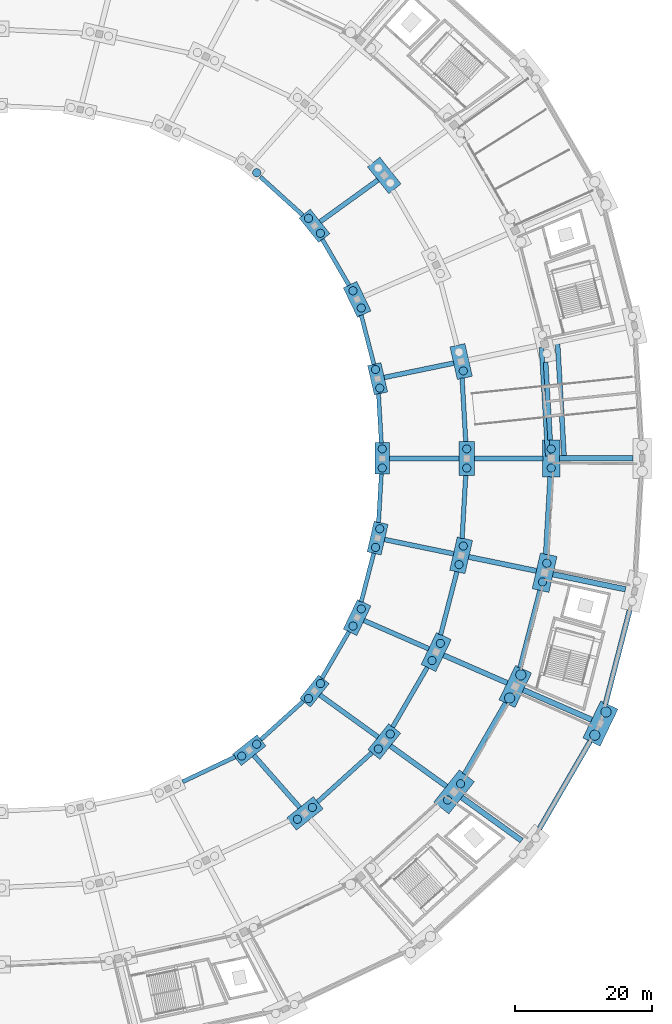
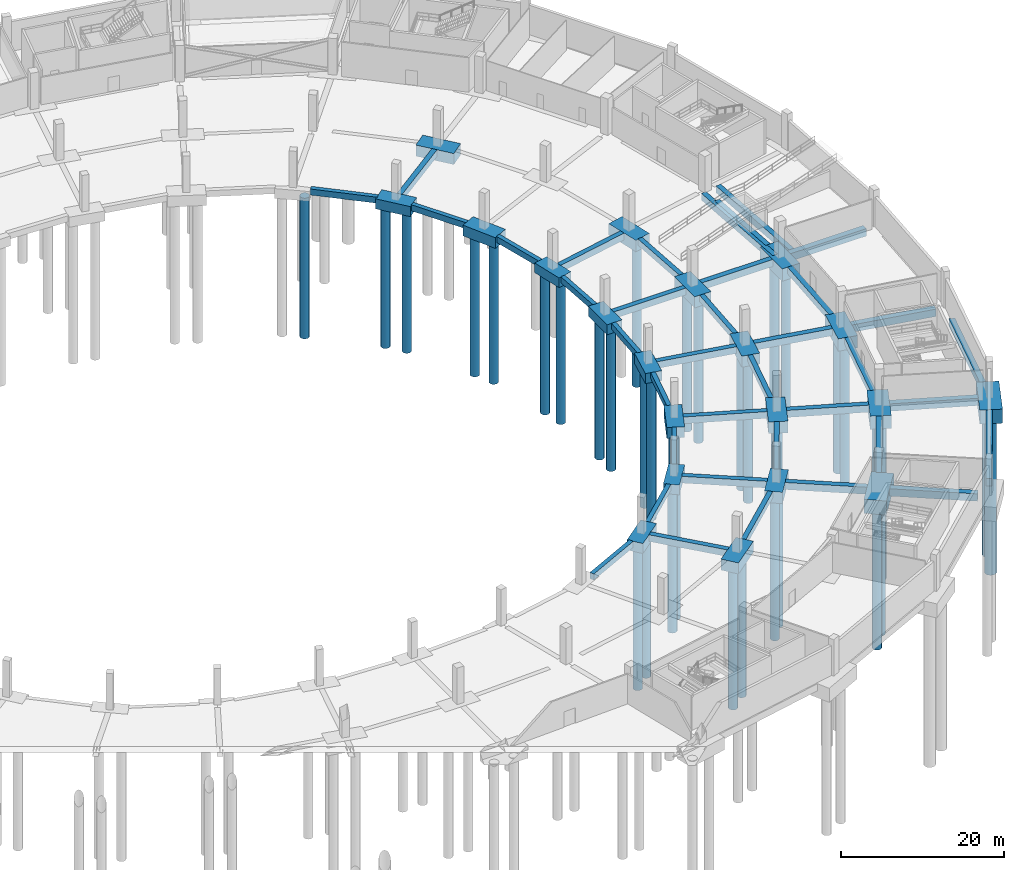
# One storey, part 4 of 49: 57 footings, 38 piles.
"""IFC4 building model written with IfcOpenShell, lengths in metres."""

from ifc_helpers import new_model, si_unit, direction, frame, origin, origin_2d, place, context, subcontext, project, spatial, rectangle, circle, extrude, material, material_profile, profile_set, type_object, element, save


model = new_model("IFC4")

# Units and contexts
model_context = context("Model", 3, precision=1e-05, world=origin(), true_north=direction((0.0, 1.0)))
body_context = subcontext(model_context, "Body", "Model", "MODEL_VIEW")
ifc_project = project(units=[si_unit("LENGTHUNIT", "METRE"), si_unit("AREAUNIT", "SQUARE_METRE"), si_unit("VOLUMEUNIT", "CUBIC_METRE"), si_unit("PLANEANGLEUNIT", "RADIAN"), si_unit("MASSUNIT", "GRAM", prefix="KILO")], contexts=[model_context])

# Site, building, storey
site_placement = place(None, origin())
site = spatial("IfcSite", under=ifc_project, at=site_placement, CompositionType="ELEMENT")
building_placement = place(site_placement, origin())
building = spatial("IfcBuilding", under=site, at=building_placement, Name="Kazemori Nagisa Stadium", CompositionType="ELEMENT")
storey_placement = place(building_placement, frame((0.0, 0.0, -5.43994140625)))
storey = spatial("IfcBuildingStorey", under=building, at=storey_placement, Name="B1", CompositionType="ELEMENT", Elevation=-5.43994140625)

# Footings
ifc_material_1 = material(Name="Concrete C40/50 (Fc42)", Category="concrete")
ifc_material_profile_1 = material_profile(ifc_material_1, rectangle(XDim=0.60009765625, YDim=0.89990234375, at=origin_2d()), Name="RC-FB-600x900")
ifc_profile_set_1 = profile_set([ifc_material_profile_1], Name="Concrete C40/50 (Fc42)")
footing_type_1 = type_object("IfcFootingType", Name="FootingBeam_FB-01", PredefinedType="FOOTING_BEAM", material=ifc_profile_set_1)
footing_1_placement = place(storey_placement, frame((179.86865234375, 104.276123046875, -0.449951171875), z_axis=(-0.057592634472, 0.998340166704, 0.0), x_axis=(-0.998340166704, -0.057592634472, 0.0)))
element("IfcFooting", 1, at=footing_1_placement, inside=storey, type_object=footing_type_1, Name="Footing tie beam FB-01 R0-01", PredefinedType="FOOTING_BEAM", context=body_context, shape_type="SweptSolid", body=[
    extrude(rectangle(XDim=0.60009765625, YDim=0.89990234375, at=origin_2d()), origin(), (0.0, 0.0, 1.0), 7.197998046875),
])
footing_2_placement = place(storey_placement, frame((178.783447265625, 115.74951171875, -0.449951171875), z_axis=(-0.249964456632, 0.968255013114, 0.0), x_axis=(-0.968255013114, -0.249964456632, 0.0)))
element("IfcFooting", 2, at=footing_2_placement, inside=storey, type_object=footing_type_1, Name="Footing tie beam FB-01 R0-02", PredefinedType="FOOTING_BEAM", context=body_context, shape_type="SweptSolid", body=[
    extrude(rectangle(XDim=0.60009765625, YDim=0.89990234375, at=origin_2d()), origin(), (0.0, 0.0, 1.0), 7.431640625),
])
footing_3_placement = place(storey_placement, frame((175.13720703125, 127.30859375, -0.449951171875), z_axis=(-0.501616011375, 0.865090386683, 0.0), x_axis=(-0.865090386683, -0.501616011375, 0.0)))
element("IfcFooting", 3, at=footing_3_placement, inside=storey, type_object=footing_type_1, Name="Footing tie beam FB-01 R0-03", PredefinedType="FOOTING_BEAM", context=body_context, shape_type="SweptSolid", body=[
    extrude(rectangle(XDim=0.60009765625, YDim=0.89990234375, at=origin_2d()), origin(), (0.0, 0.0, 1.0), 7.767333984375),
])
footing_4_placement = place(storey_placement, frame((168.406982421875, 137.53076171875, -0.449951171875), z_axis=(-0.741347224958, 0.671121667097, 0.0), x_axis=(-0.671121667097, -0.741347224958, 0.0)))
element("IfcFooting", 4, at=footing_4_placement, inside=storey, type_object=footing_type_1, Name="Footing tie beam FB-01 R0-04", PredefinedType="FOOTING_BEAM", context=body_context, shape_type="SweptSolid", body=[
    extrude(rectangle(XDim=0.60009765625, YDim=0.89990234375, at=origin_2d()), origin(), (0.0, 0.0, 1.0), 8.40625),
])
footing_5_placement = place(storey_placement, frame((150.83251953125, 54.742919921875, -0.449951171875), z_axis=(0.903220648442, 0.429176490767, 0.0), x_axis=(-0.429176490767, 0.903220648442, 0.0)))
element("IfcFooting", 5, at=footing_5_placement, inside=storey, type_object=footing_type_1, Name="Footing tie beam FB-01 R0-24", PredefinedType="FOOTING_BEAM", context=body_context, shape_type="SweptSolid", body=[
    extrude(rectangle(XDim=0.60009765625, YDim=0.89990234375, at=origin_2d()), origin(), (0.0, 0.0, 1.0), 8.488525390625),
])
footing_6_placement = place(storey_placement, frame((162.2490234375, 60.894775390625, -0.449951171875), z_axis=(0.74136030555, 0.671107217481, 0.0), x_axis=(-0.671107217481, 0.74136030555, 0.0)))
element("IfcFooting", 6, at=footing_6_placement, inside=storey, type_object=footing_type_1, Name="Footing tie beam FB-01 R0-25", PredefinedType="FOOTING_BEAM", context=body_context, shape_type="SweptSolid", body=[
    extrude(rectangle(XDim=0.60009765625, YDim=0.89990234375, at=origin_2d()), origin(), (0.0, 0.0, 1.0), 8.406494140625),
])
footing_7_placement = place(storey_placement, frame((171.190673828125, 69.88525390625, -0.449951171875), z_axis=(0.501619633692, 0.865088286301, 0.0), x_axis=(-0.865088286301, 0.501619633692, 0.0)))
element("IfcFooting", 7, at=footing_7_placement, inside=storey, type_object=footing_type_1, Name="Footing tie beam FB-01 R0-26", PredefinedType="FOOTING_BEAM", context=body_context, shape_type="SweptSolid", body=[
    extrude(rectangle(XDim=0.60009765625, YDim=0.89990234375, at=origin_2d()), origin(), (0.0, 0.0, 1.0), 7.86767578125),
])
footing_8_placement = place(storey_placement, frame((176.92578125, 81.0546875, -0.449951171875), z_axis=(0.249971675914, 0.968253149358, 0.0), x_axis=(-0.968253149358, 0.249971675914, 0.0)))
element("IfcFooting", 8, at=footing_8_placement, inside=storey, type_object=footing_type_1, Name="Footing tie beam FB-01 R0-27", PredefinedType="FOOTING_BEAM", context=body_context, shape_type="SweptSolid", body=[
    extrude(rectangle(XDim=0.60009765625, YDim=0.89990234375, at=origin_2d()), origin(), (0.0, 0.0, 1.0), 7.331787109375),
])
footing_9_placement = place(storey_placement, frame((179.459716796875, 92.6376953125, -0.449951171875), z_axis=(0.057613016689, 0.998338990678, 0.0), x_axis=(-0.998338990678, 0.057613016689, 0.0)))
element("IfcFooting", 9, at=footing_9_placement, inside=storey, type_object=footing_type_1, Name="Footing tie beam FB-01 R0-28", PredefinedType="FOOTING_BEAM", context=body_context, shape_type="SweptSolid", body=[
    extrude(rectangle(XDim=0.60009765625, YDim=0.89990234375, at=origin_2d()), origin(), (0.0, 0.0, 1.0), 7.097900390625),
])
ifc_material_profile_2 = material_profile(ifc_material_1, rectangle(XDim=0.64990234375, YDim=0.949951171875, at=origin_2d()), Name="RC-FB-650x950")
ifc_profile_set_2 = profile_set([ifc_material_profile_2], Name="Concrete C40/50 (Fc42)")
footing_type_2 = type_object("IfcFootingType", Name="FootingBeam_FB-02", PredefinedType="FOOTING_BEAM", material=ifc_profile_set_2)
footing_10_placement = place(storey_placement, frame((192.20703125, 104.475830078125, -0.47509765625), z_axis=(-0.05760006715, 0.998339737897, 0.0), x_axis=(-0.998339737897, -0.05760006715, 0.0)))
element("IfcFooting", 10, at=footing_10_placement, inside=storey, type_object=footing_type_2, Name="Footing tie beam FB-02 R1-01", PredefinedType="FOOTING_BEAM", context=body_context, shape_type="SweptSolid", body=[
    extrude(rectangle(XDim=0.64990234375, YDim=0.949951171875, at=origin_2d()), origin(), (0.0, 0.0, 1.0), 9.27392578125),
])
footing_11_placement = place(storey_placement, frame((170.53515625, 51.791259765625, -0.47509765625), z_axis=(0.741353255581, 0.671115005374, 0.0), x_axis=(-0.671115005374, 0.741353255581, 0.0)))
element("IfcFooting", 11, at=footing_11_placement, inside=storey, type_object=footing_type_2, Name="Footing tie beam FB-02 R1-25", PredefinedType="FOOTING_BEAM", context=body_context, shape_type="SweptSolid", body=[
    extrude(rectangle(XDim=0.64990234375, YDim=0.949951171875, at=origin_2d()), origin(), (0.0, 0.0, 1.0), 10.743896484375),
])
footing_12_placement = place(storey_placement, frame((181.5205078125, 62.73486328125, -0.47509765625), z_axis=(0.50161111296, 0.865093226973, 0.0), x_axis=(-0.865093226973, 0.50161111296, 0.0)))
element("IfcFooting", 12, at=footing_12_placement, inside=storey, type_object=footing_type_2, Name="Footing tie beam FB-02 R1-26", PredefinedType="FOOTING_BEAM", context=body_context, shape_type="SweptSolid", body=[
    extrude(rectangle(XDim=0.64990234375, YDim=0.949951171875, at=origin_2d()), origin(), (0.0, 0.0, 1.0), 10.110107421875),
])
footing_13_placement = place(storey_placement, frame((188.531005859375, 76.2109375, -0.47509765625), z_axis=(0.249954722247, 0.968257526088, 0.0), x_axis=(-0.968257526088, 0.249954722247, 0.0)))
element("IfcFooting", 13, at=footing_13_placement, inside=storey, type_object=footing_type_2, Name="Footing tie beam FB-02 R1-27", PredefinedType="FOOTING_BEAM", context=body_context, shape_type="SweptSolid", body=[
    extrude(rectangle(XDim=0.64990234375, YDim=0.949951171875, at=origin_2d()), origin(), (0.0, 0.0, 1.0), 9.530029296875),
])
footing_14_placement = place(storey_placement, frame((191.67578125, 90.315673828125, -0.47509765625), z_axis=(0.057595520453, 0.998340000212, 0.0), x_axis=(-0.998340000212, 0.057595520453, 0.0)))
element("IfcFooting", 14, at=footing_14_placement, inside=storey, type_object=footing_type_2, Name="Footing tie beam FB-02 R1-28", PredefinedType="FOOTING_BEAM", context=body_context, shape_type="SweptSolid", body=[
    extrude(rectangle(XDim=0.64990234375, YDim=0.949951171875, at=origin_2d()), origin(), (0.0, 0.0, 1.0), 9.223876953125),
])
ifc_material_profile_3 = material_profile(ifc_material_1, rectangle(XDim=0.699951171875, YDim=1.0, at=origin_2d()), Name="RC-FB-700x1000")
ifc_profile_set_3 = profile_set([ifc_material_profile_3], Name="Concrete C40/50 (Fc42)")
footing_type_3 = type_object("IfcFootingType", Name="FootingBeam_FB-03", PredefinedType="FOOTING_BEAM", material=ifc_profile_set_3)
footing_15_placement = place(storey_placement, frame((204.545654296875, 104.675537109375, -0.5), z_axis=(-0.057609670593, 0.998339183772, 0.0), x_axis=(-0.998339183772, -0.057609670593, 0.0)))
element("IfcFooting", 15, at=footing_15_placement, inside=storey, type_object=footing_type_3, Name="Footing tie beam FB-03 R2-01", PredefinedType="FOOTING_BEAM", context=body_context, shape_type="SweptSolid", body=[
    extrude(rectangle(XDim=0.699951171875, YDim=1.0, at=origin_2d()), origin(), (0.0, 0.0, 1.0), 11.39990234375),
])
footing_16_placement = place(storey_placement, frame((192.000732421875, 55.84375, -0.5), z_axis=(0.501617443405, 0.86508955633, 0.0), x_axis=(-0.86508955633, 0.501617443405, 0.0)))
element("IfcFooting", 16, at=footing_16_placement, inside=storey, type_object=footing_type_3, Name="Footing tie beam FB-03 R2-26", PredefinedType="FOOTING_BEAM", context=body_context, shape_type="SweptSolid", body=[
    extrude(rectangle(XDim=0.699951171875, YDim=1.0, at=origin_2d()), origin(), (0.0, 0.0, 1.0), 12.052734375),
])
footing_17_placement = place(storey_placement, frame((200.135986328125, 71.3671875, -0.5), z_axis=(0.249963639558, 0.968255224049, 0.0), x_axis=(-0.968255224049, 0.249963639558, 0.0)))
element("IfcFooting", 17, at=footing_17_placement, inside=storey, type_object=footing_type_3, Name="Footing tie beam FB-03 R2-27", PredefinedType="FOOTING_BEAM", context=body_context, shape_type="SweptSolid", body=[
    extrude(rectangle(XDim=0.699951171875, YDim=1.0, at=origin_2d()), origin(), (0.0, 0.0, 1.0), 11.728271484375),
])
footing_18_placement = place(storey_placement, frame((203.891845703125, 87.99365234375, -0.5), z_axis=(0.057606017939, 0.998339394543, 0.0), x_axis=(-0.998339394543, 0.057606017939, 0.0)))
element("IfcFooting", 18, at=footing_18_placement, inside=storey, type_object=footing_type_3, Name="Footing tie beam FB-03 R2-28", PredefinedType="FOOTING_BEAM", context=body_context, shape_type="SweptSolid", body=[
    extrude(rectangle(XDim=0.699951171875, YDim=1.0, at=origin_2d()), origin(), (0.0, 0.0, 1.0), 11.349609375),
])
footing_19_placement = place(storey_placement, frame((181.030029296875, 102.0, -0.5), z_axis=(1.0, 0.0, 0.0), x_axis=(0.0, 1.0, 0.0)))
element("IfcFooting", 19, at=footing_19_placement, inside=storey, type_object=footing_type_3, Name="Footing tie beam FB-03 R0-R1-01", PredefinedType="FOOTING_BEAM", context=body_context, shape_type="SweptSolid", body=[
    extrude(rectangle(XDim=0.699951171875, YDim=1.0, at=origin_2d()), origin(), (0.0, 0.0, 1.0), 10.18994140625),
])
footing_20_placement = place(storey_placement, frame((180.288330078125, 113.8369140625, -0.5), z_axis=(0.979313019238, 0.20235120546, 0.0), x_axis=(-0.20235120546, 0.979313019238, 0.0)))
element("IfcFooting", 20, at=footing_20_placement, inside=storey, type_object=footing_type_3, Name="Footing tie beam FB-03 R0-R1-02", PredefinedType="FOOTING_BEAM", context=body_context, shape_type="SweptSolid", body=[
    extrude(rectangle(XDim=0.699951171875, YDim=1.0, at=origin_2d()), origin(), (0.0, 0.0, 1.0), 10.377197265625),
])
footing_21_placement = place(storey_placement, frame((170.932373046875, 136.603515625, -0.5), z_axis=(0.810792831077, 0.58533322567, 0.0), x_axis=(-0.58533322567, 0.810792831077, 0.0)))
element("IfcFooting", 21, at=footing_21_placement, inside=storey, type_object=footing_type_3, Name="Footing tie beam FB-03 R0-R1-04", PredefinedType="FOOTING_BEAM", context=body_context, shape_type="SweptSolid", body=[
    extrude(rectangle(XDim=0.699951171875, YDim=1.0, at=origin_2d()), origin(), (0.0, 0.0, 1.0), 10.42578125),
])
footing_22_placement = place(storey_placement, frame((161.23974609375, 58.591796875, -0.5), z_axis=(0.66100571591, -0.750380865651, 0.0), x_axis=(0.750380865651, 0.66100571591, 0.0)))
element("IfcFooting", 22, at=footing_22_placement, inside=storey, type_object=footing_type_3, Name="Footing tie beam FB-03 R0-R1-25", PredefinedType="FOOTING_BEAM", context=body_context, shape_type="SweptSolid", body=[
    extrude(rectangle(XDim=0.699951171875, YDim=1.0, at=origin_2d()), origin(), (0.0, 0.0, 1.0), 10.15087890625),
])
footing_23_placement = place(storey_placement, frame((170.891845703125, 67.42578125, -0.5), z_axis=(0.810790180925, -0.585336896595, 0.0), x_axis=(0.585336896595, 0.810790180925, 0.0)))
element("IfcFooting", 23, at=footing_23_placement, inside=storey, type_object=footing_type_3, Name="Footing tie beam FB-03 R0-R1-26", PredefinedType="FOOTING_BEAM", context=body_context, shape_type="SweptSolid", body=[
    extrude(rectangle(XDim=0.699951171875, YDim=1.0, at=origin_2d()), origin(), (0.0, 0.0, 1.0), 10.500732421875),
])
footing_24_placement = place(storey_placement, frame((177.321044921875, 78.318603515625, -0.5), z_axis=(0.916674906434, -0.399633727198, 0.0), x_axis=(0.399633727198, 0.916674906434, 0.0)))
element("IfcFooting", 24, at=footing_24_placement, inside=storey, type_object=footing_type_3, Name="Footing tie beam FB-03 R0-R1-27", PredefinedType="FOOTING_BEAM", context=body_context, shape_type="SweptSolid", body=[
    extrude(rectangle(XDim=0.699951171875, YDim=1.0, at=origin_2d()), origin(), (0.0, 0.0, 1.0), 10.34521484375),
])
footing_25_placement = place(storey_placement, frame((180.337158203125, 90.153076171875, -0.5), z_axis=(0.979312106659, -0.202355621991, 0.0), x_axis=(0.202355621991, 0.979312106659, 0.0)))
element("IfcFooting", 25, at=footing_25_placement, inside=storey, type_object=footing_type_3, Name="Footing tie beam FB-03 R0-R1-28", PredefinedType="FOOTING_BEAM", context=body_context, shape_type="SweptSolid", body=[
    extrude(rectangle(XDim=0.699951171875, YDim=1.0, at=origin_2d()), origin(), (0.0, 0.0, 1.0), 10.30224609375),
])
footing_26_placement = place(storey_placement, frame((204.205322265625, 102.33935546875, -0.5), z_axis=(-0.057600059498, 0.998339738339, 0.0), x_axis=(-0.998339738339, -0.057600059498, 0.0)))
element("IfcFooting", 26, at=footing_26_placement, inside=storey, type_object=footing_type_3, Name="Footing tie beam FB-03 RV1-1", PredefinedType="FOOTING_BEAM", context=body_context, shape_type="SweptSolid", body=[
    extrude(rectangle(XDim=0.699951171875, YDim=1.0, at=origin_2d()), origin(), (0.0, 0.0, 1.0), 15.9326171875),
])
footing_27_placement = place(storey_placement, frame((206.580322265625, 102.33935546875, -0.5), z_axis=(-0.057591404873, 0.998340237637, 0.0), x_axis=(-0.998340237637, -0.057591404873, 0.0)))
element("IfcFooting", 27, at=footing_27_placement, inside=storey, type_object=footing_type_3, Name="Footing tie beam FB-03 RV1-2", PredefinedType="FOOTING_BEAM", context=body_context, shape_type="SweptSolid", body=[
    extrude(rectangle(XDim=0.699951171875, YDim=1.0, at=origin_2d()), origin(), (0.0, 0.0, 1.0), 16.41845703125),
])
ifc_material_profile_4 = material_profile(ifc_material_1, rectangle(XDim=0.75, YDim=1.050048828125, at=origin_2d()), Name="RC-FB-750x1050")
ifc_profile_set_4 = profile_set([ifc_material_profile_4], Name="Concrete C40/50 (Fc42)")
footing_type_4 = type_object("IfcFootingType", Name="FootingBeam_FB-04", PredefinedType="FOOTING_BEAM", material=ifc_profile_set_4)
footing_28_placement = place(storey_placement, frame((202.990234375, 47.910400390625, -0.525146484375), z_axis=(0.501614806727, 0.865091085188, 0.0), x_axis=(-0.865091085188, 0.501614806727, 0.0)))
element("IfcFooting", 28, at=footing_28_placement, inside=storey, type_object=footing_type_4, Name="Footing tie beam FB-04 R3-26", PredefinedType="FOOTING_BEAM", context=body_context, shape_type="SweptSolid", body=[
    extrude(rectangle(XDim=0.75, YDim=1.050048828125, at=origin_2d()), origin(), (0.0, 0.0, 1.0), 14.752197265625),
])
footing_29_placement = place(storey_placement, frame((212.6298828125, 66.1357421875, -0.525146484375), z_axis=(0.249957990158, 0.968256682474, 0.0), x_axis=(-0.968256682474, 0.249957990158, 0.0)))
element("IfcFooting", 29, at=footing_29_placement, inside=storey, type_object=footing_type_4, Name="Footing tie beam FB-04 R3-27", PredefinedType="FOOTING_BEAM", context=body_context, shape_type="SweptSolid", body=[
    extrude(rectangle(XDim=0.75, YDim=1.050048828125, at=origin_2d()), origin(), (0.0, 0.0, 1.0), 14.12646484375),
])
footing_30_placement = place(storey_placement, frame((193.47998046875, 102.0, -0.525146484375), z_axis=(1.0, 0.0, 0.0), x_axis=(0.0, 1.0, 0.0)))
element("IfcFooting", 30, at=footing_30_placement, inside=storey, type_object=footing_type_4, Name="Footing tie beam FB-04 R1-R2-01", PredefinedType="FOOTING_BEAM", context=body_context, shape_type="SweptSolid", body=[
    extrude(rectangle(XDim=0.75, YDim=1.050048828125, at=origin_2d()), origin(), (0.0, 0.0, 1.0), 9.989990234375),
])
footing_31_placement = place(storey_placement, frame((181.197509765625, 59.98583984375, -0.525146484375), z_axis=(0.810793298869, -0.585332577693, 0.0), x_axis=(0.585332577693, 0.810793298869, 0.0)))
element("IfcFooting", 31, at=footing_31_placement, inside=storey, type_object=footing_type_4, Name="Footing tie beam FB-04 R1-R2-26", PredefinedType="FOOTING_BEAM", context=body_context, shape_type="SweptSolid", body=[
    extrude(rectangle(XDim=0.75, YDim=1.050048828125, at=origin_2d()), origin(), (0.0, 0.0, 1.0), 10.100830078125),
])
footing_32_placement = place(storey_placement, frame((188.9677734375, 73.2412109375, -0.525146484375), z_axis=(0.916680142316, -0.399621716982, 0.0), x_axis=(0.399621716982, 0.916680142316, 0.0)))
element("IfcFooting", 32, at=footing_32_placement, inside=storey, type_object=footing_type_4, Name="Footing tie beam FB-04 R1-R2-27", PredefinedType="FOOTING_BEAM", context=body_context, shape_type="SweptSolid", body=[
    extrude(rectangle(XDim=0.75, YDim=1.050048828125, at=origin_2d()), origin(), (0.0, 0.0, 1.0), 10.14501953125),
])
footing_33_placement = place(storey_placement, frame((192.6396484375, 87.611083984375, -0.525146484375), z_axis=(0.979313459298, -0.202349075703, 0.0), x_axis=(0.202349075703, 0.979313459298, 0.0)))
element("IfcFooting", 33, at=footing_33_placement, inside=storey, type_object=footing_type_4, Name="Footing tie beam FB-04 R1-R2-28", PredefinedType="FOOTING_BEAM", context=body_context, shape_type="SweptSolid", body=[
    extrude(rectangle(XDim=0.75, YDim=1.050048828125, at=origin_2d()), origin(), (0.0, 0.0, 1.0), 10.102294921875),
])
ifc_material_profile_5 = material_profile(ifc_material_1, rectangle(XDim=0.800048828125, YDim=1.10009765625, at=origin_2d()), Name="RC-FB-800x1100")
ifc_profile_set_5 = profile_set([ifc_material_profile_5], Name="Concrete C40/50 (Fc42)")
footing_type_5 = type_object("IfcFootingType", Name="FootingBeam_FB-05", PredefinedType="FOOTING_BEAM", material=ifc_profile_set_5)
footing_34_placement = place(storey_placement, frame((205.929931640625, 102.0, -0.550048828125), z_axis=(1.0, 0.0, 0.0), x_axis=(0.0, 1.0, 0.0)))
element("IfcFooting", 34, at=footing_34_placement, inside=storey, type_object=footing_type_5, Name="Footing tie beam FB-05 R2-R3-01", PredefinedType="FOOTING_BEAM", context=body_context, shape_type="SweptSolid", body=[
    extrude(rectangle(XDim=0.800048828125, YDim=1.10009765625, at=origin_2d()), origin(), (0.0, 0.0, 1.0), 10.715087890625),
])
footing_35_placement = place(storey_placement, frame((191.625, 52.4580078125, -0.550048828125), z_axis=(0.810794921926, -0.585330329454, 0.0), x_axis=(0.585330329454, 0.810794921926, 0.0)))
element("IfcFooting", 35, at=footing_35_placement, inside=storey, type_object=footing_type_5, Name="Footing tie beam FB-05 R2-R3-26", PredefinedType="FOOTING_BEAM", context=body_context, shape_type="SweptSolid", body=[
    extrude(rectangle(XDim=0.800048828125, YDim=1.10009765625, at=origin_2d()), origin(), (0.0, 0.0, 1.0), 10.793701171875),
])
footing_36_placement = place(storey_placement, frame((200.614501953125, 68.163818359375, -0.550048828125), z_axis=(0.916679157117, -0.399623976893, 0.0), x_axis=(0.399623976893, 0.916679157117, 0.0)))
element("IfcFooting", 36, at=footing_36_placement, inside=storey, type_object=footing_type_5, Name="Footing tie beam FB-05 R2-R3-27", PredefinedType="FOOTING_BEAM", context=body_context, shape_type="SweptSolid", body=[
    extrude(rectangle(XDim=0.800048828125, YDim=1.10009765625, at=origin_2d()), origin(), (0.0, 0.0, 1.0), 10.914794921875),
])
footing_37_placement = place(storey_placement, frame((204.942138671875, 85.069091796875, -0.550048828125), z_axis=(0.979312950483, -0.20235153821, 0.0), x_axis=(0.20235153821, 0.979312950483, 0.0)))
element("IfcFooting", 37, at=footing_37_placement, inside=storey, type_object=footing_type_5, Name="Footing tie beam FB-05 R2-R3-28", PredefinedType="FOOTING_BEAM", context=body_context, shape_type="SweptSolid", body=[
    extrude(rectangle(XDim=0.800048828125, YDim=1.10009765625, at=origin_2d()), origin(), (0.0, 0.0, 1.0), 10.835693359375),
])
footing_type_6 = type_object("IfcFootingType", Name="PileCap_PC-01", PredefinedType="PILE_CAP", material=ifc_material_1)
for number, where, z_axis, x_axis, name in (
    (38, (180.0, 102.0, -1.5), (0.0, 0.0, 1.0), (0.0, 1.0, 0.0), "Pile cap PC-01 R0-01"),
    (39, (170.09716796875, 136.00048828125, -1.5), (0.0, 0.0, 1.0), (-0.623489801853, 0.781831482473, 0.0), "Pile cap PC-01 R0-04"),
    (40, (160.558837890625, 59.364501953125, -1.5), (0.0, 0.0, 1.0), (0.781831482473, 0.623489801853, 0.0), "Pile cap PC-01 R0-25"),
    (41, (179.328369140625, 90.361328125, -1.5), (0.0, 0.0, 1.0), (0.222520933954, 0.974927912182, 0.0), "Pile cap PC-01 R0-28"),
):
    element("IfcFooting", number, at=place(storey_placement, frame(where, z_axis=z_axis, x_axis=x_axis)), inside=storey, type_object=footing_type_6, Name=name, PredefinedType="PILE_CAP", context=body_context, shape_type="SweptSolid", body=[
        extrude(rectangle(XDim=4.60009765625, YDim=2.10009765625, at=origin_2d()), origin(), (0.0, 0.0, 1.0), 1.5),
    ])
footing_type_7 = type_object("IfcFootingType", Name="PileCap_PC-02", PredefinedType="PILE_CAP", material=ifc_material_1)
for number, where, z_axis, x_axis, name in (
    (42, (176.3310546875, 125.249755859375, -1.60009765625), (0.0, 0.0, 1.0), (-0.433883739113, 0.900968867905, 0.0), "Pile cap PC-02 R0-03"),
    (43, (176.3310546875, 78.750244140625, -1.60009765625), (0.0, 0.0, 1.0), (0.433883739113, 0.900968867905, 0.0), "Pile cap PC-02 R0-27"),
):
    element("IfcFooting", number, at=place(storey_placement, frame(where, z_axis=z_axis, x_axis=x_axis)), inside=storey, type_object=footing_type_7, Name=name, PredefinedType="PILE_CAP", context=body_context, shape_type="SweptSolid", body=[
        extrude(rectangle(XDim=4.800048828125, YDim=2.199951171875, at=origin_2d()), origin(), (0.0, 0.0, 1.0), 1.60009765625),
    ])
footing_type_8 = type_object("IfcFootingType", Name="PileCap_PC-03", PredefinedType="PILE_CAP", material=ifc_material_1)
for number, where, z_axis, x_axis, name in (
    (44, (192.35009765625, 102.0, -1.64990234375), (0.0, 0.0, 1.0), (0.0, 1.0, 0.0), "Pile cap PC-03 R1-01"),
    (45, (180.301513671875, 143.367431640625, -1.64990234375), (0.0, 0.0, 1.0), (-0.623489801853, 0.781831482473, 0.0), "Pile cap PC-03 R1-04"),
    (46, (168.696533203125, 50.126953125, -1.64990234375), (0.0, 0.0, 1.0), (0.781831482473, 0.623489801853, 0.0), "Pile cap PC-03 R1-25"),
    (47, (191.532958984375, 87.839599609375, -1.64990234375), (0.0, 0.0, 1.0), (0.222520933954, 0.974927912182, 0.0), "Pile cap PC-03 R1-28"),
):
    element("IfcFooting", number, at=place(storey_placement, frame(where, z_axis=z_axis, x_axis=x_axis)), inside=storey, type_object=footing_type_8, Name=name, PredefinedType="PILE_CAP", context=body_context, shape_type="SweptSolid", body=[
        extrude(rectangle(XDim=5.0, YDim=2.300048828125, at=origin_2d()), origin(), (0.0, 0.0, 1.0), 1.64990234375),
    ])
footing_type_9 = type_object("IfcFootingType", Name="PileCap_PC-04", PredefinedType="PILE_CAP", material=ifc_material_1)
footing_38_placement = place(storey_placement, frame((187.885986328125, 73.712890625, -1.75), z_axis=(0.0, 0.0, 1.0), x_axis=(0.433883739113, 0.900968867905, 0.0)))
element("IfcFooting", 48, at=footing_38_placement, inside=storey, type_object=footing_type_9, Name="Pile cap PC-04 R1-27", PredefinedType="PILE_CAP", context=body_context, shape_type="SweptSolid", body=[
    extrude(rectangle(XDim=5.199951171875, YDim=2.39990234375, at=origin_2d()), origin(), (0.0, 0.0, 1.0), 1.75),
])
footing_type_10 = type_object("IfcFootingType", Name="PileCap_PC-05", PredefinedType="PILE_CAP", material=ifc_material_1)
for number, where, z_axis, x_axis, name in (
    (49, (204.699951171875, 102.0, -1.85009765625), (0.0, 0.0, 1.0), (0.0, 1.0, 0.0), "Pile cap PC-05 R2-01"),
    (50, (203.737548828125, 85.31787109375, -1.85009765625), (0.0, 0.0, 1.0), (0.222520933954, 0.974927912182, 0.0), "Pile cap PC-05 R2-28"),
):
    element("IfcFooting", number, at=place(storey_placement, frame(where, z_axis=z_axis, x_axis=x_axis)), inside=storey, type_object=footing_type_10, Name=name, PredefinedType="PILE_CAP", context=body_context, shape_type="SweptSolid", body=[
        extrude(rectangle(XDim=5.39990234375, YDim=2.5, at=origin_2d()), origin(), (0.0, 0.0, 1.0), 1.85009765625),
    ])
footing_type_11 = type_object("IfcFootingType", Name="PileCap_PC-06", PredefinedType="PILE_CAP", material=ifc_material_1)
footing_39_placement = place(storey_placement, frame((199.44091796875, 68.67529296875, -1.9501953125), z_axis=(0.0, 0.0, 1.0), x_axis=(0.433883739113, 0.900968867905, 0.0)))
element("IfcFooting", 51, at=footing_39_placement, inside=storey, type_object=footing_type_11, Name="Pile cap PC-06 R2-27", PredefinedType="PILE_CAP", context=body_context, shape_type="SweptSolid", body=[
    extrude(rectangle(XDim=5.60009765625, YDim=2.60009765625, at=origin_2d()), origin(), (0.0, 0.0, 1.0), 1.949951171875),
])
footing_type_12 = type_object("IfcFootingType", Name="PileCap_PC-08", PredefinedType="PILE_CAP", material=ifc_material_1)
for number, where, z_axis, x_axis, name in (
    (52, (179.328369140625, 113.638671875, -1.4501953125), (0.0, 0.0, 1.0), (-0.222520933954, 0.974927912182, 0.0), "Pile cap PC-08 R0-02"),
    (53, (170.09716796875, 67.99951171875, -1.4501953125), (0.0, 0.0, 1.0), (0.623489801853, 0.781831482473, 0.0), "Pile cap PC-08 R0-26"),
):
    element("IfcFooting", number, at=place(storey_placement, frame(where, z_axis=z_axis, x_axis=x_axis)), inside=storey, type_object=footing_type_12, Name=name, PredefinedType="PILE_CAP", context=body_context, shape_type="SweptSolid", body=[
        extrude(rectangle(XDim=4.39990234375, YDim=2.0, at=origin_2d()), origin(), (0.0, 0.0, 1.0), 1.449951171875),
    ])
footing_type_13 = type_object("IfcFootingType", Name="PileCap_PC-09", PredefinedType="PILE_CAP", material=ifc_material_1)
for number, where, z_axis, x_axis, name in (
    (54, (191.532958984375, 116.160400390625, -1.7001953125), (0.0, 0.0, 1.0), (-0.222520933954, 0.974927912182, 0.0), "Pile cap PC-09 R1-02"),
    (55, (180.301513671875, 60.632568359375, -1.7001953125), (0.0, 0.0, 1.0), (0.623489801853, 0.781831482473, 0.0), "Pile cap PC-09 R1-26"),
):
    element("IfcFooting", number, at=place(storey_placement, frame(where, z_axis=z_axis, x_axis=x_axis)), inside=storey, type_object=footing_type_13, Name=name, PredefinedType="PILE_CAP", context=body_context, shape_type="SweptSolid", body=[
        extrude(rectangle(XDim=4.89990234375, YDim=2.25, at=origin_2d()), origin(), (0.0, 0.0, 1.0), 1.699951171875),
    ])
footing_type_14 = type_object("IfcFootingType", Name="PileCap_PC-12", PredefinedType="PILE_CAP", material=ifc_material_1)
for number, where, z_axis, x_axis, name in (
    (56, (190.506103515625, 53.265869140625, -2.10009765625), (0.0, 0.0, 1.0), (0.623489801853, 0.781831482473, 0.0), "Pile cap PC-12 R2-26"),
    (57, (211.885009765625, 63.25048828125, -2.10009765625), (0.0, 0.0, 1.0), (0.433883739113, 0.900968867905, 0.0), "Pile cap PC-12 R3-27"),
):
    element("IfcFooting", number, at=place(storey_placement, frame(where, z_axis=z_axis, x_axis=x_axis)), inside=storey, type_object=footing_type_14, Name=name, PredefinedType="PILE_CAP", context=body_context, shape_type="SweptSolid", body=[
        extrude(rectangle(XDim=6.0, YDim=2.800048828125, at=origin_2d()), origin(), (0.0, 0.0, 1.0), 2.10009765625),
    ])

# Piles
ifc_material_2 = material(Name="Concrete C36/45 (Fc36)", Category="concrete")
ifc_material_profile_6 = material_profile(ifc_material_2, circle(Radius=0.60009765625, at=origin_2d()), Name="PILE-D1200")
ifc_profile_set_6 = profile_set([ifc_material_profile_6], Name="Concrete C36/45 (Fc36)")
pile_type_1 = type_object("IfcPileType", Name="Pile_PL-1200", PredefinedType="BORED", material=ifc_profile_set_6)
for number, where, z_axis, x_axis, name in (
    (58, (180.0, 100.60009765625, -1.400146484375), (0.0, 0.0, -1.0), (1.0, 0.0, 0.0), "Bored pile PL-1200 R0-01-1"),
    (59, (180.0, 103.39990234375, -1.400146484375), (0.0, 0.0, -1.0), (1.0, 0.0, 0.0), "Bored pile PL-1200 R0-01-2"),
    (60, (179.639892578125, 112.273681640625, -1.35009765625), (0.0, 0.0, -1.0), (1.0, 0.0, 0.0), "Bored pile PL-1200 R0-02-1"),
    (61, (179.016845703125, 115.00341796875, -1.35009765625), (0.0, 0.0, -1.0), (1.0, 0.0, 0.0), "Bored pile PL-1200 R0-02-2"),
    (62, (176.9384765625, 123.98828125, -1.5), (0.0, 0.0, -1.0), (1.0, 0.0, 0.0), "Bored pile PL-1200 R0-03-1"),
    (63, (175.7236328125, 126.510986328125, -1.5), (0.0, 0.0, -1.0), (1.0, 0.0, 0.0), "Bored pile PL-1200 R0-03-2"),
    (64, (170.97021484375, 134.906005859375, -1.400146484375), (0.0, 0.0, -1.0), (1.0, 0.0, 0.0), "Bored pile PL-1200 R0-04-1"),
    (65, (169.224365234375, 137.09521484375, -1.400146484375), (0.0, 0.0, -1.0), (1.0, 0.0, 0.0), "Bored pile PL-1200 R0-04-2"),
    (66, (161.6533203125, 143.762451171875, -1.35009765625), (0.0, 0.0, -1.0), (1.0, 0.0, 0.0), "Bored pile PL-1200 R0-05-1"),
    (67, (159.464111328125, 58.49169921875, -1.400146484375), (0.0, 0.0, -1.0), (1.0, 0.0, 0.0), "Bored pile PL-1200 R0-25-1"),
    (68, (161.6533203125, 60.237548828125, -1.400146484375), (0.0, 0.0, -1.0), (1.0, 0.0, 0.0), "Bored pile PL-1200 R0-25-2"),
    (69, (169.224365234375, 66.90478515625, -1.35009765625), (0.0, 0.0, -1.0), (1.0, 0.0, 0.0), "Bored pile PL-1200 R0-26-1"),
    (70, (170.97021484375, 69.093994140625, -1.35009765625), (0.0, 0.0, -1.0), (1.0, 0.0, 0.0), "Bored pile PL-1200 R0-26-2"),
    (71, (175.7236328125, 77.489013671875, -1.5), (0.0, 0.0, -1.0), (1.0, 0.0, 0.0), "Bored pile PL-1200 R0-27-1"),
    (72, (176.9384765625, 80.01171875, -1.5), (0.0, 0.0, -1.0), (1.0, 0.0, 0.0), "Bored pile PL-1200 R0-27-2"),
    (73, (179.016845703125, 88.99658203125, -1.400146484375), (0.0, 0.0, -1.0), (1.0, 0.0, 0.0), "Bored pile PL-1200 R0-28-1"),
    (74, (179.639892578125, 91.726318359375, -1.400146484375), (0.0, 0.0, -1.0), (1.0, 0.0, 0.0), "Bored pile PL-1200 R0-28-2"),
    (75, (192.35009765625, 100.60009765625, -1.550048828125), (0.0, 0.0, -1.0), (1.0, 0.0, 0.0), "Bored pile PL-1200 R1-01-1"),
    (76, (192.35009765625, 103.39990234375, -1.550048828125), (0.0, 0.0, -1.0), (1.0, 0.0, 0.0), "Bored pile PL-1200 R1-01-2"),
    (77, (191.844482421875, 114.79541015625, -1.60009765625), (0.0, 0.0, -1.0), (1.0, 0.0, 0.0), "Bored pile PL-1200 R1-02-1"),
    (78, (167.60205078125, 49.254150390625, -1.550048828125), (0.0, 0.0, -1.0), (1.0, 0.0, 0.0), "Bored pile PL-1200 R1-25-1"),
    (79, (169.791015625, 50.999755859375, -1.550048828125), (0.0, 0.0, -1.0), (1.0, 0.0, 0.0), "Bored pile PL-1200 R1-25-2"),
    (80, (179.4287109375, 59.5380859375, -1.60009765625), (0.0, 0.0, -1.0), (1.0, 0.0, 0.0), "Bored pile PL-1200 R1-26-1"),
    (81, (181.174560546875, 61.727294921875, -1.60009765625), (0.0, 0.0, -1.0), (1.0, 0.0, 0.0), "Bored pile PL-1200 R1-26-2"),
    (82, (187.278564453125, 72.451416015625, -1.650146484375), (0.0, 0.0, -1.0), (1.0, 0.0, 0.0), "Bored pile PL-1200 R1-27-1"),
    (83, (188.493408203125, 74.97412109375, -1.650146484375), (0.0, 0.0, -1.0), (1.0, 0.0, 0.0), "Bored pile PL-1200 R1-27-2"),
    (84, (191.221435546875, 86.474853515625, -1.550048828125), (0.0, 0.0, -1.0), (1.0, 0.0, 0.0), "Bored pile PL-1200 R1-28-1"),
    (85, (191.844482421875, 89.20458984375, -1.550048828125), (0.0, 0.0, -1.0), (1.0, 0.0, 0.0), "Bored pile PL-1200 R1-28-2"),
    (86, (204.699951171875, 100.60009765625, -1.75), (0.0, 0.0, -1.0), (1.0, 0.0, 0.0), "Bored pile PL-1200 R2-01-1"),
    (87, (204.699951171875, 103.39990234375, -1.75), (0.0, 0.0, -1.0), (1.0, 0.0, 0.0), "Bored pile PL-1200 R2-01-2"),
    (88, (189.558349609375, 52.077392578125, -2.0), (0.0, 0.0, -1.0), (1.0, 0.0, 0.0), "Bored pile PL-1200 R2-26-1"),
    (89, (191.45361328125, 54.4541015625, -2.0), (0.0, 0.0, -1.0), (1.0, 0.0, 0.0), "Bored pile PL-1200 R2-26-2"),
    (90, (203.426025390625, 83.953125, -1.75), (0.0, 0.0, -1.0), (1.0, 0.0, 0.0), "Bored pile PL-1200 R2-28-1"),
    (91, (204.049072265625, 86.682861328125, -1.75), (0.0, 0.0, -1.0), (1.0, 0.0, 0.0), "Bored pile PL-1200 R2-28-2"),
):
    element("IfcPile", number, at=place(storey_placement, frame(where, z_axis=z_axis, x_axis=x_axis)), inside=storey, type_object=pile_type_1, Name=name, PredefinedType="BORED", context=body_context, shape_type="SweptSolid", body=[
        extrude(circle(Radius=0.60009765625, at=origin_2d()), origin(), (0.0, 0.0, 1.0), 21.0),
    ])
ifc_material_profile_7 = material_profile(ifc_material_2, circle(Radius=0.75, at=origin_2d()), Name="PILE-D1500")
ifc_profile_set_7 = profile_set([ifc_material_profile_7], Name="Concrete C36/45 (Fc36)")
pile_type_2 = type_object("IfcPileType", Name="Pile_PL-1500", PredefinedType="BORED", material=ifc_profile_set_7)
for number, where, z_axis, x_axis, name in (
    (92, (198.625244140625, 66.981689453125, -1.85009765625), (0.0, 0.0, -1.0), (1.0, 0.0, 0.0), "Bored pile PL-1500 R2-27-1"),
    (93, (200.2568359375, 70.369140625, -1.85009765625), (0.0, 0.0, -1.0), (1.0, 0.0, 0.0), "Bored pile PL-1500 R2-27-2"),
    (94, (211.0693359375, 61.556640625, -2.0), (0.0, 0.0, -1.0), (1.0, 0.0, 0.0), "Bored pile PL-1500 R3-27-1"),
    (95, (212.70068359375, 64.9443359375, -2.0), (0.0, 0.0, -1.0), (1.0, 0.0, 0.0), "Bored pile PL-1500 R3-27-2"),
):
    element("IfcPile", number, at=place(storey_placement, frame(where, z_axis=z_axis, x_axis=x_axis)), inside=storey, type_object=pile_type_2, Name=name, PredefinedType="BORED", context=body_context, shape_type="SweptSolid", body=[
        extrude(circle(Radius=0.75, at=origin_2d()), origin(), (0.0, 0.0, 1.0), 23.0),
    ])

save(model, "model.ifc")
